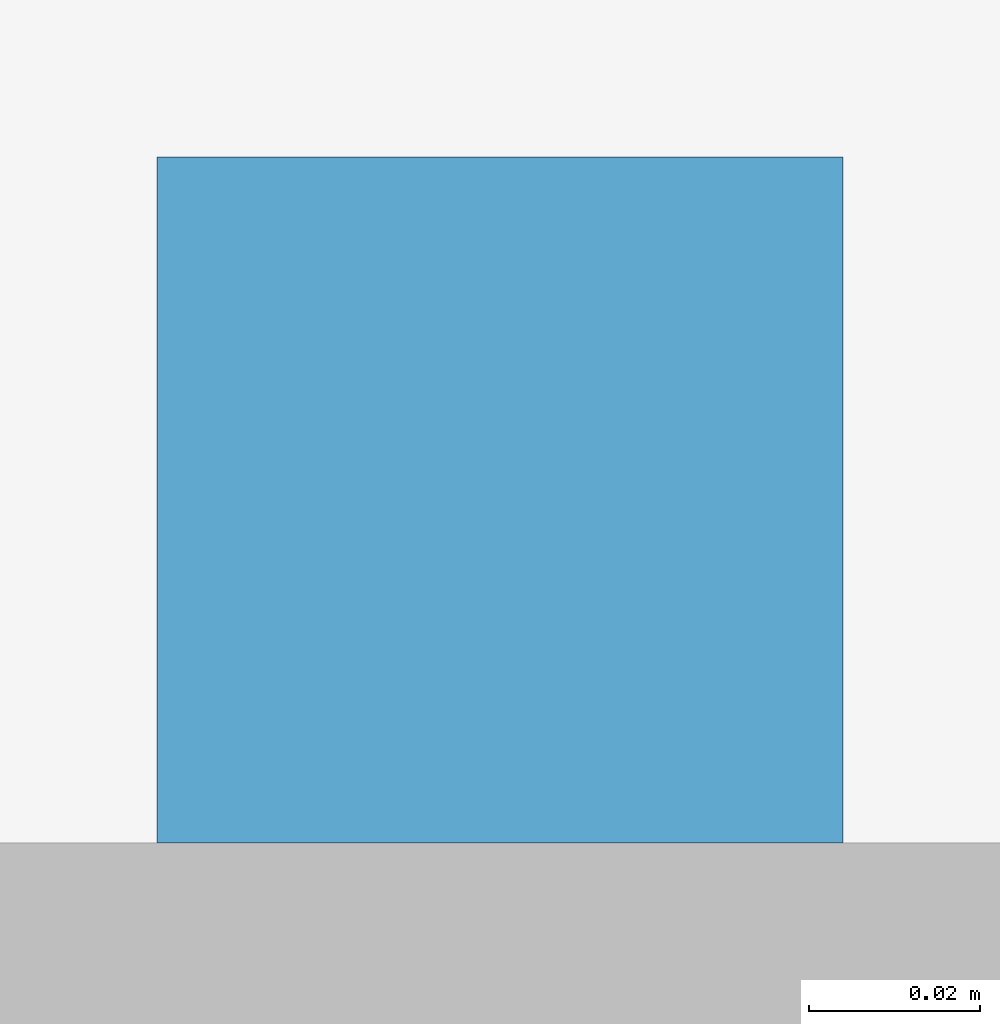
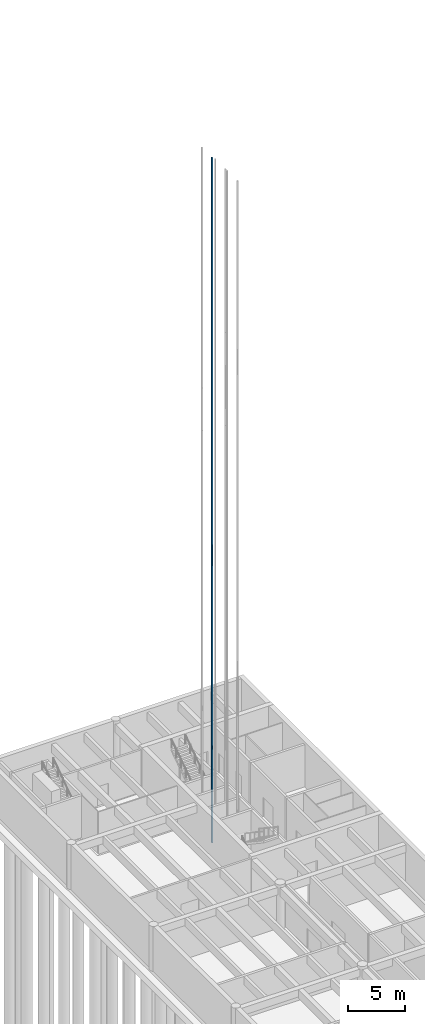
# One storey, part 12 of 24: 1 building element part.
"""IFC4 building model written with IfcOpenShell, lengths in metres."""

import ifcopenshell
import ifcopenshell.guid

model = None  # the IFC model being written
_history = None  # IfcOwnerHistory: only IFC2X3 demands one
_inside = {}  # id of a spatial element -> (the spatial element, [elements in it])
_under = {}  # id of a project, library or spatial element -> (it, [spatial elements below it])
_declared = {}  # id of a project -> (the project, [libraries it declares])
_typed = {}  # id of a type object -> (the type object, [elements of that type])
_made_of = {}  # id of a material, layer set ... -> (it, [elements and type objects made of it])


def new_model(schema):
    """Start an empty IFC model of exactly this schema.

    Asked for "IFC4X3", IfcOpenShell would pick the latest addendum, in which some entities
    have other attributes; the version numbers below select the first issue.
    IFC2X3 requires an IfcOwnerHistory on every rooted entity: one is made here for all.
    """
    global model, _history
    if schema == "IFC4X3":
        model = ifcopenshell.file(schema_version=(4, 3, 0, 0))
    else:
        model = ifcopenshell.file(schema=schema)
    _inside.clear()
    _under.clear()
    _declared.clear()
    _typed.clear()
    _made_of.clear()
    _history = None
    if model.schema == "IFC2X3":
        org = make("IfcOrganization", Name="unknown")
        user = make(
            "IfcPersonAndOrganization",
            ThePerson=make("IfcPerson", FamilyName="unknown"),
            TheOrganization=org,
        )
        app = make(
            "IfcApplication",
            ApplicationDeveloper=org,
            Version="unknown",
            ApplicationFullName="unknown",
            ApplicationIdentifier="unknown",
        )
        _history = make(
            "IfcOwnerHistory",
            OwningUser=user,
            OwningApplication=app,
            ChangeAction="ADDED",
            CreationDate=0,
        )
    return model


def make(cls, **values):
    """One entity of the class cls with the attributes given. An attribute that is None is left unset."""
    return model.create_entity(
        cls, **{name: value for name, value in values.items() if value is not None}
    )


def rooted(cls, **values):
    """An entity with a GlobalId (a new one), such as an element, a storey or a relation."""
    return make(cls, GlobalId=ifcopenshell.guid.new(), OwnerHistory=_history, **values)


def si_unit(unit_type, name, prefix=None):
    """IfcSIUnit, for example si_unit("LENGTHUNIT", "METRE", prefix="MILLI")."""
    return make("IfcSIUnit", UnitType=unit_type, Prefix=prefix, Name=name)


def assignment(units):
    """IfcUnitAssignment: the units of a project."""
    return None if units is None else make("IfcUnitAssignment", Units=units)


def point(xyz):
    """IfcCartesianPoint."""
    return None if xyz is None else make("IfcCartesianPoint", Coordinates=xyz)


def direction(xyz):
    """IfcDirection."""
    return None if xyz is None else make("IfcDirection", DirectionRatios=xyz)


def frame(location, z_axis=None, x_axis=None):
    """IfcAxis2Placement3D, a coordinate frame: its origin and axes. An axis left out is left unset."""
    return make(
        "IfcAxis2Placement3D",
        Location=point(location),
        Axis=direction(z_axis),
        RefDirection=direction(x_axis),
    )


def frame_2d(location, x_axis=None):
    """IfcAxis2Placement2D, a coordinate frame in the plane: its origin and x axis."""
    return make(
        "IfcAxis2Placement2D", Location=point(location), RefDirection=direction(x_axis)
    )


def origin():
    """The frame at (0, 0, 0) with its axes left unset."""
    return frame((0.0, 0.0, 0.0))


def origin_2d():
    """The frame at (0, 0) in the plane with its x axis left unset."""
    return frame_2d((0.0, 0.0))


def place(relative_to, where):
    """IfcLocalPlacement: puts the frame where relative to a parent placement (None: the world)."""
    return make(
        "IfcLocalPlacement", PlacementRelTo=relative_to, RelativePlacement=where
    )


def context(
    kind, dimensions, precision=None, world=None, true_north=None, identifier=None
):
    """IfcGeometricRepresentationContext, for example the 3D "Model" context."""
    return make(
        "IfcGeometricRepresentationContext",
        ContextIdentifier=identifier,
        ContextType=kind,
        CoordinateSpaceDimension=dimensions,
        Precision=precision,
        WorldCoordinateSystem=world,
        TrueNorth=true_north,
    )


def subcontext(parent, identifier, kind, view, scale=None):
    """IfcGeometricRepresentationSubContext, for example "Body" below "Model"."""
    return make(
        "IfcGeometricRepresentationSubContext",
        ContextIdentifier=identifier,
        ContextType=kind,
        ParentContext=parent,
        TargetScale=scale,
        TargetView=view,
    )


def project(units=None, contexts=None):
    """IfcProject with its units and contexts."""
    return rooted(
        "IfcProject",
        Name="project",
        RepresentationContexts=contexts,
        UnitsInContext=assignment(units),
    )


def spatial(cls, under=None, at=None, **own):
    """A site, building, storey or space (cls), placed at a placement, below another one or the project."""
    s = rooted(cls, ObjectPlacement=at, **own)
    if under is not None:
        _under.setdefault(under.id(), (under, []))[1].append(s)
    return s


def profile(cls, at=None, kind="AREA", **sizes):
    """A parametric profile (cls). Its sizes go by their IFC names, for example OverallWidth=200.0."""
    return make(cls, ProfileType=kind, Position=at, **sizes)


def rectangle(**sizes):
    """IfcRectangleProfileDef."""
    return profile("IfcRectangleProfileDef", **sizes)


def extrude(swept, where, along, depth):
    """IfcExtrudedAreaSolid: the profile swept, set in the frame where, extruded along a direction by depth."""
    return make(
        "IfcExtrudedAreaSolid",
        SweptArea=swept,
        Position=where,
        ExtrudedDirection=direction(along),
        Depth=depth,
    )


def shape(context_of_items, identifier, shape_type, items):
    """IfcShapeRepresentation: the items that make up one representation, for example the "Body"."""
    return make(
        "IfcShapeRepresentation",
        ContextOfItems=context_of_items,
        RepresentationIdentifier=identifier,
        RepresentationType=shape_type,
        Items=items,
    )


def made_of(thing, what):
    """Note that an element or type object is made of a material, layer set ...; save() writes the relation."""
    if what is not None:
        _made_of.setdefault(what.id(), (what, []))[1].append(thing)
    return thing


def element(
    cls,
    number,
    at=None,
    inside=None,
    cuts=None,
    type_object=None,
    material=None,
    context=None,
    identifier="Body",
    shape_type=None,
    held_by="IfcProductDefinitionShape",
    body=None,
    shapes=None,
    **own,
):
    """One element of the class cls, such as IfcWall. Its Tag is "e" and its number.

    at: its placement. inside: the storey or other place that contains it. cuts: it is an
    opening in that element (IfcRelVoidsElement). A single representation is given by context,
    identifier, shape_type and body (its items); several are given by shapes. held_by: the class
    of the entity that holds the representations. save() writes the other relations.
    """
    e = rooted(cls, Tag="e%d" % number, ObjectPlacement=at, **own)
    if body is not None:
        shapes = [shape(context, identifier, shape_type, body)]
    if shapes is not None:
        e.Representation = make(held_by, Representations=shapes)
    if inside is not None:
        _inside.setdefault(inside.id(), (inside, []))[1].append(e)
    if cuts is not None:
        rooted(
            "IfcRelVoidsElement", RelatingBuildingElement=cuts, RelatedOpeningElement=e
        )
    if type_object is not None:
        _typed.setdefault(type_object.id(), (type_object, []))[1].append(e)
    return made_of(e, material)


def aggregate(whole, parts):
    """IfcRelAggregates: a whole, such as a stair, and the parts it consists of."""
    return rooted("IfcRelAggregates", RelatingObject=whole, RelatedObjects=parts)


def save(model, path):
    """Write the relations noted so far, then the file.

    IfcRelAggregates (storeys below a building ...), IfcRelContainedInSpatialStructure (elements
    in a storey), IfcRelDefinesByType, IfcRelAssociatesMaterial and IfcRelDeclares: one each for
    every whole, place, type object, material and project.
    """
    for whole, parts in _under.values():
        aggregate(whole, parts)
    for where, things in _inside.values():
        rooted(
            "IfcRelContainedInSpatialStructure",
            RelatedElements=things,
            RelatingStructure=where,
        )
    for kind, things in _typed.values():
        rooted("IfcRelDefinesByType", RelatedObjects=things, RelatingType=kind)
    for what, things in _made_of.values():
        rooted("IfcRelAssociatesMaterial", RelatedObjects=things, RelatingMaterial=what)
    for by, libraries in _declared.values():
        rooted("IfcRelDeclares", RelatingContext=by, RelatedDefinitions=libraries)
    model.write(path)


model = new_model("IFC4")

# Units and contexts
model_context = context("Model", 3, precision=1e-05, world=origin(), true_north=direction((0.0, 1.0)))
body_context = subcontext(model_context, "Body", "Model", "MODEL_VIEW")
ifc_project = project(units=[si_unit("LENGTHUNIT", "METRE"), si_unit("AREAUNIT", "SQUARE_METRE"), si_unit("VOLUMEUNIT", "CUBIC_METRE"), si_unit("PLANEANGLEUNIT", "RADIAN"), si_unit("MASSUNIT", "GRAM", prefix="KILO")], contexts=[model_context])

# Site, building, storey
site_placement = place(None, origin())
site = spatial("IfcSite", under=ifc_project, at=site_placement, CompositionType="ELEMENT")
building_placement = place(site_placement, origin())
building = spatial("IfcBuilding", under=site, at=building_placement, Name="Fogon Plaza Fire Station and Headquarters Tower", CompositionType="ELEMENT")
storey_placement = place(building_placement, frame((0.0, 0.0, -4.800048828125)))
storey = spatial("IfcBuildingStorey", under=building, at=storey_placement, Name="B1", CompositionType="ELEMENT", Elevation=-4.800048828125)

# Building element part
building_element_part_placement = place(storey_placement, frame((14.925048828125, 44.4150390625, -1.19970703125), z_axis=(0.0, 0.0, 1.0), x_axis=(1.0, 0.0, 0.0)))
element("IfcBuildingElementPart", 1, at=building_element_part_placement, inside=storey, Name="Guide rail FL1 1", ObjectType="Guide rail", PredefinedType="USERDEFINED", context=body_context, shape_type="SweptSolid", body=[
    extrude(rectangle(XDim=0.080078125, YDim=0.080078125, at=origin_2d()), origin(), (0.0, 0.0, 1.0), 73.199951171875),
])

save(model, "model.ifc")
